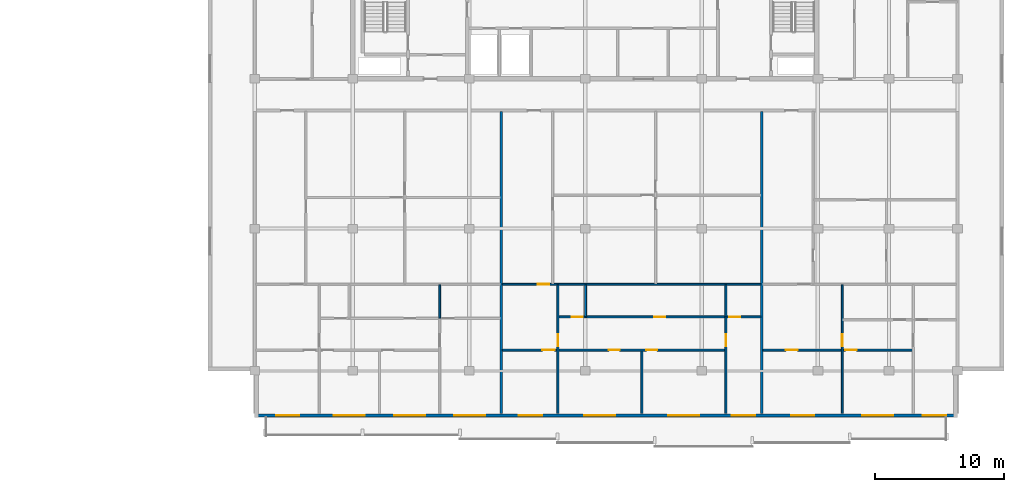
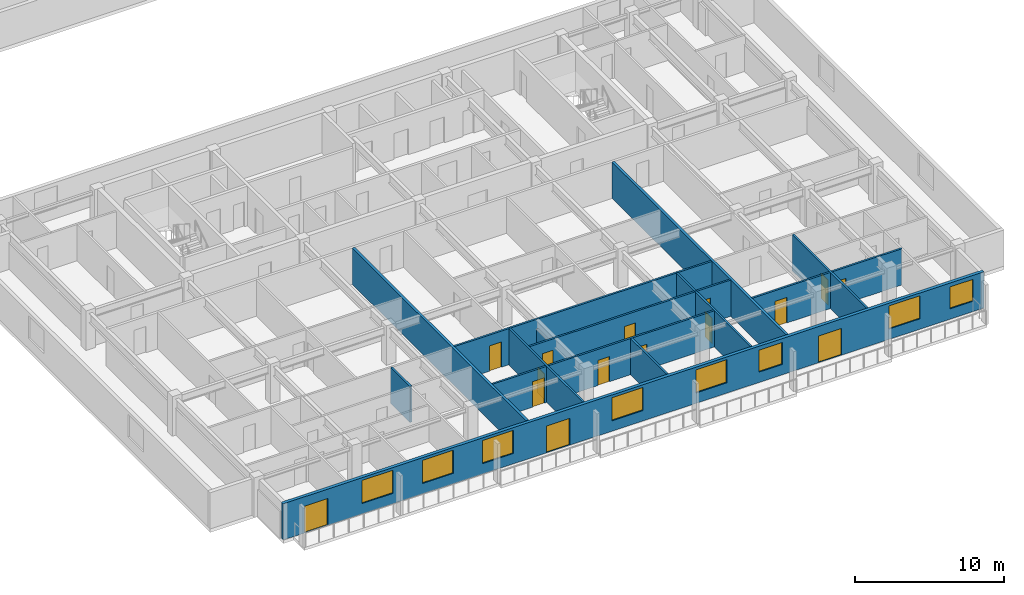
# One storey, part 5 of 23: 15 doors, 14 walls, 8 windows, 23 openings.
"""IFC4 building model written with IfcOpenShell, lengths in metres."""

from ifc_helpers import new_model, si_unit, direction, frame, frame_2d, origin, place, context, subcontext, project, spatial, rectangle, extrude, material, layer, layer_set, type_object, element, fill, save


model = new_model("IFC4")

# Units and contexts
model_context = context("Model", 3, precision=1e-05, world=origin(), true_north=direction((0.0, 1.0)))
body_context = subcontext(model_context, "Body", "Model", "MODEL_VIEW")
ifc_project = project(units=[si_unit("LENGTHUNIT", "METRE"), si_unit("AREAUNIT", "SQUARE_METRE"), si_unit("VOLUMEUNIT", "CUBIC_METRE"), si_unit("PLANEANGLEUNIT", "RADIAN"), si_unit("MASSUNIT", "GRAM", prefix="KILO")], contexts=[model_context])

# Site, building, storey
site_placement = place(None, origin())
site = spatial("IfcSite", under=ifc_project, at=site_placement, CompositionType="ELEMENT")
building_placement = place(site_placement, origin())
building = spatial("IfcBuilding", under=site, at=building_placement, Name="Korimba Cascade Residences", CompositionType="ELEMENT")
storey_placement = place(building_placement, frame((0.0, 0.0, 165.35009765625)))
storey = spatial("IfcBuildingStorey", under=building, at=storey_placement, Name="L47", CompositionType="ELEMENT", Elevation=165.35009765625)

# Wall, openings, doors, windows
ifc_material_1 = material(Name="Precast concrete C40/50", Category="concrete")
ifc_layer_1 = layer(ifc_material_1, 0.25)
ifc_layer_set_1 = layer_set([ifc_layer_1], Name="Precast concrete C40/50")
wall_type_1 = type_object("IfcWallType", Name="EW-LOG-250", PredefinedType="STANDARD", material=ifc_layer_set_1)
wall_1_placement = place(storey_placement, frame((74.5, -7.64990234375, 0.0), z_axis=(0.0, 0.0, 1.0), x_axis=(1.0, 0.0, 0.0)))
wall_1 = element("IfcWall", 1, at=wall_1_placement, inside=storey, type_object=wall_type_1, Name="L47 T2 Perimeter Stone Wall E00", PredefinedType="STANDARD", context=body_context, shape_type="SweptSolid", body=[
    extrude(rectangle(XDim=54.39990234375, YDim=0.25, at=frame_2d((27.199951171875, 0.0))), origin(), (0.0, 0.0, 1.0), 2.969970703125),
])
opening_1_placement = place(wall_1_placement, frame((6.13232421875, 0.0, 0.85009765625)))
opening_1 = element("IfcOpeningElement", 2, at=opening_1_placement, cuts=wall_1, Name="Opening W-01", PredefinedType="OPENING", context=body_context, shape_type="SweptSolid", body=[
    extrude(rectangle(XDim=2.39990234375, YDim=1.89990234375, at=frame_2d((1.199951171875, 0.949951171875))), frame((0.0, 0.135009765625, 0.0), z_axis=(0.0, -1.0, 0.0), x_axis=(1.0, 0.0, 0.0)), (0.0, 0.0, 1.0), 0.27001953125),
])
opening_2_placement = place(wall_1_placement, frame((10.796875, 0.0, 0.85009765625)))
opening_2 = element("IfcOpeningElement", 3, at=opening_2_placement, cuts=wall_1, Name="Opening W-01", PredefinedType="OPENING", context=body_context, shape_type="SweptSolid", body=[
    extrude(rectangle(XDim=2.39990234375, YDim=1.89990234375, at=frame_2d((1.199951171875, 0.949951171875))), frame((0.0, 0.135009765625, 0.0), z_axis=(0.0, -1.0, 0.0), x_axis=(1.0, 0.0, 0.0)), (0.0, 0.0, 1.0), 0.27001953125),
])
opening_3_placement = place(wall_1_placement, frame((1.659912109375, 0.0, 0.0)))
opening_3 = element("IfcOpeningElement", 4, at=opening_3_placement, cuts=wall_1, Name="Opening D-LG1", PredefinedType="OPENING", context=body_context, shape_type="SweptSolid", body=[
    extrude(rectangle(XDim=1.800048828125, YDim=2.199951171875, at=frame_2d((0.89990234375, 1.10009765625))), frame((0.0, 0.135009765625, 0.0), z_axis=(0.0, -1.0, 0.0), x_axis=(1.0, 0.0, 0.0)), (0.0, 0.0, 1.0), 0.27001953125),
])
opening_4_placement = place(wall_1_placement, frame((15.4541015625, 0.0, 0.85009765625)))
opening_4 = element("IfcOpeningElement", 5, at=opening_4_placement, cuts=wall_1, Name="Opening W-01", PredefinedType="OPENING", context=body_context, shape_type="SweptSolid", body=[
    extrude(rectangle(XDim=2.39990234375, YDim=1.89990234375, at=frame_2d((1.199951171875, 0.949951171875))), frame((0.0, 0.135009765625, 0.0), z_axis=(0.0, -1.0, 0.0), x_axis=(1.0, 0.0, 0.0)), (0.0, 0.0, 1.0), 0.27001953125),
])
opening_5_placement = place(wall_1_placement, frame((25.52197265625, 0.0, 0.85009765625)))
opening_5 = element("IfcOpeningElement", 6, at=opening_5_placement, cuts=wall_1, Name="Opening W-01", PredefinedType="OPENING", context=body_context, shape_type="SweptSolid", body=[
    extrude(rectangle(XDim=2.39990234375, YDim=1.89990234375, at=frame_2d((1.199951171875, 0.949951171875))), frame((0.0, 0.135009765625, 0.0), z_axis=(0.0, -1.0, 0.0), x_axis=(1.0, 0.0, 0.0)), (0.0, 0.0, 1.0), 0.27001953125),
])
opening_6_placement = place(wall_1_placement, frame((32.02734375, 0.0, 0.85009765625)))
opening_6 = element("IfcOpeningElement", 7, at=opening_6_placement, cuts=wall_1, Name="Opening W-01", PredefinedType="OPENING", context=body_context, shape_type="SweptSolid", body=[
    extrude(rectangle(XDim=2.39990234375, YDim=1.89990234375, at=frame_2d((1.199951171875, 0.949951171875))), frame((0.0, 0.135009765625, 0.0), z_axis=(0.0, -1.0, 0.0), x_axis=(1.0, 0.0, 0.0)), (0.0, 0.0, 1.0), 0.27001953125),
])
opening_7_placement = place(wall_1_placement, frame((20.444091796875, 0.0, 0.0)))
opening_7 = element("IfcOpeningElement", 8, at=opening_7_placement, cuts=wall_1, Name="Opening D-LG1", PredefinedType="OPENING", context=body_context, shape_type="SweptSolid", body=[
    extrude(rectangle(XDim=1.800048828125, YDim=2.199951171875, at=frame_2d((0.89990234375, 1.10009765625))), frame((0.0, 0.135009765625, 0.0), z_axis=(0.0, -1.0, 0.0), x_axis=(1.0, 0.0, 0.0)), (0.0, 0.0, 1.0), 0.27001953125),
])
opening_8_placement = place(wall_1_placement, frame((36.935302734375, 0.0, 0.85009765625)))
opening_8 = element("IfcOpeningElement", 9, at=opening_8_placement, cuts=wall_1, Name="Opening W-02", PredefinedType="OPENING", context=body_context, shape_type="SweptSolid", body=[
    extrude(rectangle(XDim=1.800048828125, YDim=1.800048828125, at=frame_2d((0.89990234375, 0.89990234375))), frame((0.0, 0.135009765625, 0.0), z_axis=(0.0, -1.0, 0.0), x_axis=(1.0, 0.0, 0.0)), (0.0, 0.0, 1.0), 0.27001953125),
])
opening_9_placement = place(wall_1_placement, frame((47.030029296875, 0.0, 0.85009765625)))
opening_9 = element("IfcOpeningElement", 10, at=opening_9_placement, cuts=wall_1, Name="Opening W-01", PredefinedType="OPENING", context=body_context, shape_type="SweptSolid", body=[
    extrude(rectangle(XDim=2.39990234375, YDim=1.89990234375, at=frame_2d((1.199951171875, 0.949951171875))), frame((0.0, 0.135009765625, 0.0), z_axis=(0.0, -1.0, 0.0), x_axis=(1.0, 0.0, 0.0)), (0.0, 0.0, 1.0), 0.27001953125),
])
opening_10_placement = place(wall_1_placement, frame((41.5302734375, 0.0, 0.0)))
opening_10 = element("IfcOpeningElement", 11, at=opening_10_placement, cuts=wall_1, Name="Opening D-LG1", PredefinedType="OPENING", context=body_context, shape_type="SweptSolid", body=[
    extrude(rectangle(XDim=1.800048828125, YDim=2.199951171875, at=frame_2d((0.89990234375, 1.10009765625))), frame((0.0, 0.135009765625, 0.0), z_axis=(0.0, -1.0, 0.0), x_axis=(1.0, 0.0, 0.0)), (0.0, 0.0, 1.0), 0.27001953125),
])
opening_11_placement = place(wall_1_placement, frame((51.72998046875, 0.0, 0.85009765625)))
opening_11 = element("IfcOpeningElement", 12, at=opening_11_placement, cuts=wall_1, Name="Opening W-02", PredefinedType="OPENING", context=body_context, shape_type="SweptSolid", body=[
    extrude(rectangle(XDim=1.800048828125, YDim=1.800048828125, at=frame_2d((0.89990234375, 0.89990234375))), frame((0.0, 0.135009765625, 0.0), z_axis=(0.0, -1.0, 0.0), x_axis=(1.0, 0.0, 0.0)), (0.0, 0.0, 1.0), 0.27001953125),
])
ifc_material_2 = material(Name="Glazed Aluminium Loggia Sliding Door", Category="aluminium")
door_type_1 = type_object("IfcDoorType", Name="DR-EXT-LOG", OperationType="NOTDEFINED", PredefinedType="DOOR", material=ifc_material_2)
door_1_placement = place(opening_3_placement, origin())
door_1 = element("IfcDoor", 13, at=door_1_placement, inside=storey, type_object=door_type_1, Name="L47 T2 Loggia Sliding Door 5", OperationType="SLIDING_TO_RIGHT", OverallHeight=2.199951171875, OverallWidth=1.800048828125, PredefinedType="DOOR", context=body_context, shape_type="SweptSolid", body=[
    extrude(rectangle(XDim=1.800048828125, YDim=2.199951171875, at=frame_2d((0.89990234375, 1.10009765625))), frame((0.0, 0.02490234375, 0.0), z_axis=(0.0, -1.0, 0.0), x_axis=(1.0, 0.0, 0.0)), (0.0, 0.0, 1.0), 0.050048828125),
])
fill(opening_3, door_1)
door_2_placement = place(opening_7_placement, origin())
door_2 = element("IfcDoor", 14, at=door_2_placement, inside=storey, type_object=door_type_1, Name="L47 T2 Loggia Sliding Door 9", OperationType="SLIDING_TO_RIGHT", OverallHeight=2.199951171875, OverallWidth=1.800048828125, PredefinedType="DOOR", context=body_context, shape_type="SweptSolid", body=[
    extrude(rectangle(XDim=1.800048828125, YDim=2.199951171875, at=frame_2d((0.89990234375, 1.10009765625))), frame((0.0, 0.02490234375, 0.0), z_axis=(0.0, -1.0, 0.0), x_axis=(1.0, 0.0, 0.0)), (0.0, 0.0, 1.0), 0.050048828125),
])
fill(opening_7, door_2)
door_3_placement = place(opening_10_placement, origin())
door_3 = element("IfcDoor", 15, at=door_3_placement, inside=storey, type_object=door_type_1, Name="L47 T2 Loggia Sliding Door 12", OperationType="SLIDING_TO_RIGHT", OverallHeight=2.199951171875, OverallWidth=1.800048828125, PredefinedType="DOOR", context=body_context, shape_type="SweptSolid", body=[
    extrude(rectangle(XDim=1.800048828125, YDim=2.199951171875, at=frame_2d((0.89990234375, 1.10009765625))), frame((0.0, 0.02490234375, 0.0), z_axis=(0.0, -1.0, 0.0), x_axis=(1.0, 0.0, 0.0)), (0.0, 0.0, 1.0), 0.050048828125),
])
fill(opening_10, door_3)
ifc_material_3 = material(Name="Double-Glazed Aluminium Window", Category="aluminium")
window_type_1 = type_object("IfcWindowType", Name="WIN-BED-1800", PartitioningType="SINGLE_PANEL", PredefinedType="WINDOW", material=ifc_material_3)
window_1_placement = place(opening_8_placement, origin())
window_1 = element("IfcWindow", 16, at=window_1_placement, inside=storey, type_object=window_type_1, Name="L47 T2 South Facade Window 10", OverallHeight=1.800048828125, OverallWidth=1.800048828125, PartitioningType="SINGLE_PANEL", PredefinedType="WINDOW", context=body_context, shape_type="SweptSolid", body=[
    extrude(rectangle(XDim=1.800048828125, YDim=1.800048828125, at=frame_2d((0.89990234375, 0.89990234375))), frame((0.0, 0.030029296875, 0.0), z_axis=(0.0, -1.0, 0.0), x_axis=(1.0, 0.0, 0.0)), (0.0, 0.0, 1.0), 0.06005859375),
])
fill(opening_8, window_1)
window_2_placement = place(opening_11_placement, origin())
window_2 = element("IfcWindow", 17, at=window_2_placement, inside=storey, type_object=window_type_1, Name="L47 T2 South Facade Window 13", OverallHeight=1.800048828125, OverallWidth=1.800048828125, PartitioningType="SINGLE_PANEL", PredefinedType="WINDOW", context=body_context, shape_type="SweptSolid", body=[
    extrude(rectangle(XDim=1.800048828125, YDim=1.800048828125, at=frame_2d((0.89990234375, 0.89990234375))), frame((0.0, 0.030029296875, 0.0), z_axis=(0.0, -1.0, 0.0), x_axis=(1.0, 0.0, 0.0)), (0.0, 0.0, 1.0), 0.06005859375),
])
fill(opening_11, window_2)
window_type_2 = type_object("IfcWindowType", Name="WIN-RES-2400", PartitioningType="DOUBLE_PANEL_VERTICAL", PredefinedType="WINDOW", material=ifc_material_3)
window_3_placement = place(opening_1_placement, origin())
window_3 = element("IfcWindow", 18, at=window_3_placement, inside=storey, type_object=window_type_2, Name="L47 T2 South Facade Window 3", OverallHeight=1.89990234375, OverallWidth=2.39990234375, PartitioningType="DOUBLE_PANEL_VERTICAL", PredefinedType="WINDOW", context=body_context, shape_type="SweptSolid", body=[
    extrude(rectangle(XDim=2.39990234375, YDim=1.89990234375, at=frame_2d((1.199951171875, 0.949951171875))), frame((0.0, 0.030029296875, 0.0), z_axis=(0.0, -1.0, 0.0), x_axis=(1.0, 0.0, 0.0)), (0.0, 0.0, 1.0), 0.06005859375),
])
fill(opening_1, window_3)
window_4_placement = place(opening_2_placement, origin())
window_4 = element("IfcWindow", 19, at=window_4_placement, inside=storey, type_object=window_type_2, Name="L47 T2 South Facade Window 4", OverallHeight=1.89990234375, OverallWidth=2.39990234375, PartitioningType="DOUBLE_PANEL_VERTICAL", PredefinedType="WINDOW", context=body_context, shape_type="SweptSolid", body=[
    extrude(rectangle(XDim=2.39990234375, YDim=1.89990234375, at=frame_2d((1.199951171875, 0.949951171875))), frame((0.0, 0.030029296875, 0.0), z_axis=(0.0, -1.0, 0.0), x_axis=(1.0, 0.0, 0.0)), (0.0, 0.0, 1.0), 0.06005859375),
])
fill(opening_2, window_4)
window_5_placement = place(opening_4_placement, origin())
window_5 = element("IfcWindow", 20, at=window_5_placement, inside=storey, type_object=window_type_2, Name="L47 T2 South Facade Window 6", OverallHeight=1.89990234375, OverallWidth=2.39990234375, PartitioningType="DOUBLE_PANEL_VERTICAL", PredefinedType="WINDOW", context=body_context, shape_type="SweptSolid", body=[
    extrude(rectangle(XDim=2.39990234375, YDim=1.89990234375, at=frame_2d((1.199951171875, 0.949951171875))), frame((0.0, 0.030029296875, 0.0), z_axis=(0.0, -1.0, 0.0), x_axis=(1.0, 0.0, 0.0)), (0.0, 0.0, 1.0), 0.06005859375),
])
fill(opening_4, window_5)
window_6_placement = place(opening_5_placement, origin())
window_6 = element("IfcWindow", 21, at=window_6_placement, inside=storey, type_object=window_type_2, Name="L47 T2 South Facade Window 7", OverallHeight=1.89990234375, OverallWidth=2.39990234375, PartitioningType="DOUBLE_PANEL_VERTICAL", PredefinedType="WINDOW", context=body_context, shape_type="SweptSolid", body=[
    extrude(rectangle(XDim=2.39990234375, YDim=1.89990234375, at=frame_2d((1.199951171875, 0.949951171875))), frame((0.0, 0.030029296875, 0.0), z_axis=(0.0, -1.0, 0.0), x_axis=(1.0, 0.0, 0.0)), (0.0, 0.0, 1.0), 0.06005859375),
])
fill(opening_5, window_6)
window_7_placement = place(opening_6_placement, origin())
window_7 = element("IfcWindow", 22, at=window_7_placement, inside=storey, type_object=window_type_2, Name="L47 T2 South Facade Window 8", OverallHeight=1.89990234375, OverallWidth=2.39990234375, PartitioningType="DOUBLE_PANEL_VERTICAL", PredefinedType="WINDOW", context=body_context, shape_type="SweptSolid", body=[
    extrude(rectangle(XDim=2.39990234375, YDim=1.89990234375, at=frame_2d((1.199951171875, 0.949951171875))), frame((0.0, 0.030029296875, 0.0), z_axis=(0.0, -1.0, 0.0), x_axis=(1.0, 0.0, 0.0)), (0.0, 0.0, 1.0), 0.06005859375),
])
fill(opening_6, window_7)
window_8_placement = place(opening_9_placement, origin())
window_8 = element("IfcWindow", 23, at=window_8_placement, inside=storey, type_object=window_type_2, Name="L47 T2 South Facade Window 11", OverallHeight=1.89990234375, OverallWidth=2.39990234375, PartitioningType="DOUBLE_PANEL_VERTICAL", PredefinedType="WINDOW", context=body_context, shape_type="SweptSolid", body=[
    extrude(rectangle(XDim=2.39990234375, YDim=1.89990234375, at=frame_2d((1.199951171875, 0.949951171875))), frame((0.0, 0.030029296875, 0.0), z_axis=(0.0, -1.0, 0.0), x_axis=(1.0, 0.0, 0.0)), (0.0, 0.0, 1.0), 0.06005859375),
])
fill(opening_9, window_8)

# Walls
ifc_layer_2 = layer(ifc_material_1, 0.199951171875)
ifc_layer_set_2 = layer_set([ifc_layer_2], Name="Precast concrete C40/50")
wall_type_2 = type_object("IfcWallType", Name="WAL-IT-200", PredefinedType="PARTITIONING", material=ifc_layer_set_2)
for number, where, z_axis, x_axis, name in (
    (24, (93.59912109375, -7.5, 0.0), (0.0, 0.0, 1.0), (0.0, 1.0, 0.0), "L47 Partition Wall WAL-L47-T2-DEM-1"),
    (25, (113.760498046875, -7.5, 0.0), (0.0, 0.0, 1.0), (0.0, 1.0, 0.0), "L47 Partition Wall WAL-L47-T2-DEM-2"),
):
    element("IfcWall", number, at=place(storey_placement, frame(where, z_axis=z_axis, x_axis=x_axis)), inside=storey, type_object=wall_type_2, Name=name, PredefinedType="PARTITIONING", context=body_context, shape_type="SweptSolid", body=[
        extrude(rectangle(XDim=23.3701171875, YDim=0.199951171875, at=frame_2d((11.68505859375, 0.0))), origin(), (0.0, 0.0, 1.0), 2.969970703125),
    ])
ifc_material_4 = material(Name="Insulated Acoustic Stud Partition", Category="gypsum")
ifc_layer_3 = layer(ifc_material_4, 0.14990234375)
ifc_layer_set_3 = layer_set([ifc_layer_3], Name="Insulated Acoustic Stud Partition")
wall_type_3 = type_object("IfcWallType", Name="WAL-PART-150", PredefinedType="PARTITIONING", material=ifc_layer_set_3)
wall_2_placement = place(storey_placement, frame((88.8291015625, -0.1201171875, 0.0), z_axis=(0.0, 0.0, 1.0), x_axis=(0.0, 1.0, 0.0)))
element("IfcWall", 26, at=wall_2_placement, inside=storey, type_object=wall_type_3, Name="L47 Partition Wall WAL-L47-T2-U01-VBATH", PredefinedType="PARTITIONING", context=body_context, shape_type="SweptSolid", body=[
    extrude(rectangle(XDim=2.580078125, YDim=0.14990234375, at=frame_2d((1.2900390625, 0.0))), origin(), (0.0, 0.0, 1.0), 2.969970703125),
])
wall_3_placement = place(storey_placement, frame((100.119140625, -0.010009765625, 0.0), z_axis=(0.0, 0.0, 1.0), x_axis=(0.0, 1.0, 0.0)))
element("IfcWall", 27, at=wall_3_placement, inside=storey, type_object=wall_type_3, Name="L47 Partition Wall WAL-L47-T2-U02-VDRS", PredefinedType="PARTITIONING", context=body_context, shape_type="SweptSolid", body=[
    extrude(rectangle(XDim=2.469970703125, YDim=0.14990234375, at=frame_2d((1.23486328125, 0.0))), origin(), (0.0, 0.0, 1.0), 2.2001953125),
])
wall_4_placement = place(storey_placement, frame((104.474609375, -7.5, 0.0), z_axis=(0.0, 0.0, 1.0), x_axis=(0.0, 1.0, 0.0)))
element("IfcWall", 28, at=wall_4_placement, inside=storey, type_object=wall_type_3, Name="L47 Partition Wall WAL-L47-T2-U02-VB3", PredefinedType="PARTITIONING", context=body_context, shape_type="SweptSolid", body=[
    extrude(rectangle(XDim=4.820068359375, YDim=0.14990234375, at=frame_2d((2.41015625, 0.0))), origin(), (0.0, 0.0, 1.0), 2.969970703125),
])

# Wall, opening, door
wall_5_placement = place(storey_placement, frame((97.96923828125, -7.5, 0.0), z_axis=(0.0, 0.0, 1.0), x_axis=(0.0, 1.0, 0.0)))
wall_5 = element("IfcWall", 29, at=wall_5_placement, inside=storey, type_object=wall_type_3, Name="L47 Partition Wall WAL-L47-T2-U02-V1", PredefinedType="PARTITIONING", context=body_context, shape_type="SweptSolid", body=[
    extrude(rectangle(XDim=9.9599609375, YDim=0.14990234375, at=frame_2d((4.97998046875, 0.0))), origin(), (0.0, 0.0, 1.0), 2.969970703125),
])
opening_12_placement = place(wall_5_placement, frame((5.219970703125, 0.0, 0.0)))
opening_12 = element("IfcOpeningElement", 30, at=opening_12_placement, cuts=wall_5, Name="Opening D-IN1", PredefinedType="OPENING", context=body_context, shape_type="SweptSolid", body=[
    extrude(rectangle(XDim=0.919921875, YDim=2.080078125, at=frame_2d((0.4599609375, 1.0400390625))), frame((0.0, 0.0849609375, 0.0), z_axis=(0.0, -1.0, 0.0), x_axis=(1.0, 0.0, 0.0)), (0.0, 0.0, 1.0), 0.169921875),
])
ifc_material_5 = material(Name="Acoustic Timber Living Door", Category="wood")
door_type_2 = type_object("IfcDoorType", Name="DR-INT-920", OperationType="NOTDEFINED", PredefinedType="DOOR", material=ifc_material_5)
door_4_placement = place(opening_12_placement, origin())
door_4 = element("IfcDoor", 31, at=door_4_placement, inside=storey, type_object=door_type_2, Name="L47-T2-U02 Hallway Door", OperationType="SINGLE_SWING_LEFT", OverallHeight=2.080078125, OverallWidth=0.919921875, PredefinedType="DOOR", context=body_context, shape_type="SweptSolid", body=[
    extrude(rectangle(XDim=0.919921875, YDim=2.080078125, at=frame_2d((0.4599609375, 1.0400390625))), frame((0.0, 0.02490234375, 0.0), z_axis=(0.0, -1.0, 0.0), x_axis=(1.0, 0.0, 0.0)), (0.0, 0.0, 1.0), 0.050048828125),
])
fill(opening_12, door_4)

# Wall
wall_6_placement = place(storey_placement, frame((110.97998046875, -0.010009765625, 0.0), z_axis=(0.0, 0.0, 1.0), x_axis=(0.0, 1.0, 0.0)))
element("IfcWall", 32, at=wall_6_placement, inside=storey, type_object=wall_type_3, Name="L47 Partition Wall WAL-L47-T2-U02-VBATH", PredefinedType="PARTITIONING", context=body_context, shape_type="SweptSolid", body=[
    extrude(rectangle(XDim=2.469970703125, YDim=0.14990234375, at=frame_2d((1.23486328125, 0.0))), origin(), (0.0, 0.0, 1.0), 2.969970703125),
])

# Wall, opening, door
wall_7_placement = place(storey_placement, frame((110.97998046875, -7.5, 0.0), z_axis=(0.0, 0.0, 1.0), x_axis=(0.0, 1.0, 0.0)))
wall_7 = element("IfcWall", 33, at=wall_7_placement, inside=storey, type_object=wall_type_3, Name="L47 Partition Wall WAL-L47-T2-U02-V2FULL", PredefinedType="PARTITIONING", context=body_context, shape_type="SweptSolid", body=[
    extrude(rectangle(XDim=7.449951171875, YDim=0.14990234375, at=frame_2d((3.72509765625, 0.0))), origin(), (0.0, 0.0, 1.0), 2.969970703125),
])
opening_13_placement = place(wall_7_placement, frame((5.219970703125, 0.0, 0.0)))
opening_13 = element("IfcOpeningElement", 34, at=opening_13_placement, cuts=wall_7, Name="Opening D-IN1", PredefinedType="OPENING", context=body_context, shape_type="SweptSolid", body=[
    extrude(rectangle(XDim=0.919921875, YDim=2.080078125, at=frame_2d((0.4599609375, 1.0400390625))), frame((0.0, 0.0849609375, 0.0), z_axis=(0.0, -1.0, 0.0), x_axis=(1.0, 0.0, 0.0)), (0.0, 0.0, 1.0), 0.169921875),
])
door_5_placement = place(opening_13_placement, origin())
door_5 = element("IfcDoor", 35, at=door_5_placement, inside=storey, type_object=door_type_2, Name="L47-T2-U02 Master Bedroom Door", OperationType="SINGLE_SWING_RIGHT", OverallHeight=2.080078125, OverallWidth=0.919921875, PredefinedType="DOOR", context=body_context, shape_type="SweptSolid", body=[
    extrude(rectangle(XDim=0.919921875, YDim=2.080078125, at=frame_2d((0.4599609375, 1.0400390625))), frame((0.0, 0.02490234375, 0.0), z_axis=(0.0, -1.0, 0.0), x_axis=(1.0, 0.0, 0.0)), (0.0, 0.0, 1.0), 0.050048828125),
])
fill(opening_13, door_5)

# Wall, openings, doors
wall_8_placement = place(storey_placement, frame((98.00927734375, -0.030029296875, 0.0), z_axis=(0.0, 0.0, 1.0), x_axis=(1.0, 0.0, 0.0)))
wall_8 = element("IfcWall", 36, at=wall_8_placement, inside=storey, type_object=wall_type_3, Name="L47 Partition Wall WAL-L47-T2-U02-HWALL", PredefinedType="PARTITIONING", context=body_context, shape_type="SweptSolid", body=[
    extrude(rectangle(XDim=15.671142578125, YDim=0.14990234375, at=frame_2d((7.83544921875, 0.0))), origin(), (0.0, 0.0, 1.0), 2.969970703125),
])
opening_14_placement = place(wall_8_placement, frame((1.033935546875, 0.0, 0.0)))
opening_14 = element("IfcOpeningElement", 37, at=opening_14_placement, cuts=wall_8, Name="Opening D-BT1", PredefinedType="OPENING", context=body_context, shape_type="SweptSolid", body=[
    extrude(rectangle(XDim=0.840087890625, YDim=2.0400390625, at=frame_2d((0.419921875, 1.02001953125))), frame((0.0, 0.0849609375, 0.0), z_axis=(0.0, -1.0, 0.0), x_axis=(1.0, 0.0, 0.0)), (0.0, 0.0, 1.0), 0.169921875),
])
opening_15_placement = place(wall_8_placement, frame((7.41552734375, 0.0, 0.0)))
opening_15 = element("IfcOpeningElement", 38, at=opening_15_placement, cuts=wall_8, Name="Opening D-BT1", PredefinedType="OPENING", context=body_context, shape_type="SweptSolid", body=[
    extrude(rectangle(XDim=0.840087890625, YDim=2.0400390625, at=frame_2d((0.419921875, 1.02001953125))), frame((0.0, 0.0849609375, 0.0), z_axis=(0.0, -1.0, 0.0), x_axis=(1.0, 0.0, 0.0)), (0.0, 0.0, 1.0), 0.169921875),
])
opening_16_placement = place(wall_8_placement, frame((13.220703125, 0.0, 0.0)))
opening_16 = element("IfcOpeningElement", 39, at=opening_16_placement, cuts=wall_8, Name="Opening D-BT1", PredefinedType="OPENING", context=body_context, shape_type="SweptSolid", body=[
    extrude(rectangle(XDim=0.840087890625, YDim=2.0400390625, at=frame_2d((0.419921875, 1.02001953125))), frame((0.0, 0.0849609375, 0.0), z_axis=(0.0, -1.0, 0.0), x_axis=(1.0, 0.0, 0.0)), (0.0, 0.0, 1.0), 0.169921875),
])
ifc_material_6 = material(Name="Moisture-Resistant Bathroom Timber Door", Category="wood")
door_type_3 = type_object("IfcDoorType", Name="DR-INT-850", OperationType="NOTDEFINED", PredefinedType="DOOR", material=ifc_material_6)
door_6_placement = place(opening_14_placement, origin())
door_6 = element("IfcDoor", 40, at=door_6_placement, inside=storey, type_object=door_type_3, Name="L47-T2-U02 Family Bathroom Door", OperationType="SINGLE_SWING_LEFT", OverallHeight=2.0400390625, OverallWidth=0.840087890625, PredefinedType="DOOR", context=body_context, shape_type="SweptSolid", body=[
    extrude(rectangle(XDim=0.840087890625, YDim=2.0400390625, at=frame_2d((0.419921875, 1.02001953125))), frame((0.0, 0.02490234375, 0.0), z_axis=(0.0, -1.0, 0.0), x_axis=(1.0, 0.0, 0.0)), (0.0, 0.0, 1.0), 0.050048828125),
])
fill(opening_14, door_6)
door_7_placement = place(opening_15_placement, origin())
door_7 = element("IfcDoor", 41, at=door_7_placement, inside=storey, type_object=door_type_3, Name="L47-T2-U02 Dressing Room Door", OperationType="SINGLE_SWING_RIGHT", OverallHeight=2.0400390625, OverallWidth=0.840087890625, PredefinedType="DOOR", context=body_context, shape_type="SweptSolid", body=[
    extrude(rectangle(XDim=0.840087890625, YDim=2.0400390625, at=frame_2d((0.419921875, 1.02001953125))), frame((0.0, 0.02490234375, 0.0), z_axis=(0.0, -1.0, 0.0), x_axis=(1.0, 0.0, 0.0)), (0.0, 0.0, 1.0), 0.050048828125),
])
fill(opening_15, door_7)
door_8_placement = place(opening_16_placement, origin())
door_8 = element("IfcDoor", 42, at=door_8_placement, inside=storey, type_object=door_type_3, Name="L47-T2-U02 En-Suite Door", OperationType="SINGLE_SWING_LEFT", OverallHeight=2.0400390625, OverallWidth=0.840087890625, PredefinedType="DOOR", context=body_context, shape_type="SweptSolid", body=[
    extrude(rectangle(XDim=0.840087890625, YDim=2.0400390625, at=frame_2d((0.419921875, 1.02001953125))), frame((0.0, 0.02490234375, 0.0), z_axis=(0.0, -1.0, 0.0), x_axis=(1.0, 0.0, 0.0)), (0.0, 0.0, 1.0), 0.050048828125),
])
fill(opening_16, door_8)

# Wall, opening, door
wall_9_placement = place(storey_placement, frame((93.67919921875, 2.5, 0.0), z_axis=(0.0, 0.0, 1.0), x_axis=(1.0, 0.0, 0.0)))
wall_9 = element("IfcWall", 43, at=wall_9_placement, inside=storey, type_object=wall_type_3, Name="L47 Partition Wall WAL-L47-T2-U02-MW", PredefinedType="PARTITIONING", context=body_context, shape_type="SweptSolid", body=[
    extrude(rectangle(XDim=20.001220703125, YDim=0.14990234375, at=frame_2d((10.00048828125, 0.0))), origin(), (0.0, 0.0, 1.0), 2.969970703125),
])
opening_17_placement = place(wall_9_placement, frame((2.719970703125, 0.0, 0.0)))
opening_17 = element("IfcOpeningElement", 44, at=opening_17_placement, cuts=wall_9, Name="Opening D-IN1", PredefinedType="OPENING", context=body_context, shape_type="SweptSolid", body=[
    extrude(rectangle(XDim=0.919921875, YDim=2.080078125, at=frame_2d((0.4599609375, 1.0400390625))), frame((0.0, 0.0849609375, 0.0), z_axis=(0.0, -1.0, 0.0), x_axis=(1.0, 0.0, 0.0)), (0.0, 0.0, 1.0), 0.169921875),
])
door_9_placement = place(opening_17_placement, origin())
door_9 = element("IfcDoor", 45, at=door_9_placement, inside=storey, type_object=door_type_2, Name="L47-T2-U02 Kitchen Door", OperationType="SINGLE_SWING_RIGHT", OverallHeight=2.080078125, OverallWidth=0.919921875, PredefinedType="DOOR", context=body_context, shape_type="SweptSolid", body=[
    extrude(rectangle(XDim=0.919921875, YDim=2.080078125, at=frame_2d((0.4599609375, 1.0400390625))), frame((0.0, 0.02490234375, 0.0), z_axis=(0.0, -1.0, 0.0), x_axis=(1.0, 0.0, 0.0)), (0.0, 0.0, 1.0), 0.050048828125),
])
fill(opening_17, door_9)

# Wall, openings, doors
wall_10_placement = place(storey_placement, frame((93.67919921875, -2.60009765625, 0.0), z_axis=(0.0, 0.0, 1.0), x_axis=(1.0, 0.0, 0.0)))
wall_10 = element("IfcWall", 46, at=wall_10_placement, inside=storey, type_object=wall_type_3, Name="L47 Partition Wall WAL-L47-T2-U02-HZ", PredefinedType="PARTITIONING", context=body_context, shape_type="SweptSolid", body=[
    extrude(rectangle(XDim=17.30078125, YDim=0.14990234375, at=frame_2d((8.650390625, 0.0))), origin(), (0.0, 0.0, 1.0), 2.969970703125),
])
opening_18_placement = place(wall_10_placement, frame((3.10009765625, 0.0, 0.0)))
opening_18 = element("IfcOpeningElement", 47, at=opening_18_placement, cuts=wall_10, Name="Opening D-IN0", PredefinedType="OPENING", context=body_context, shape_type="SweptSolid", body=[
    extrude(rectangle(XDim=0.93994140625, YDim=2.10009765625, at=frame_2d((0.469970703125, 1.050048828125))), frame((0.0, 0.0849609375, 0.0), z_axis=(0.0, -1.0, 0.0), x_axis=(1.0, 0.0, 0.0)), (0.0, 0.0, 1.0), 0.169921875),
])
opening_19_placement = place(wall_10_placement, frame((8.21044921875, 0.0, 0.0)))
opening_19 = element("IfcOpeningElement", 48, at=opening_19_placement, cuts=wall_10, Name="Opening D-IN2", PredefinedType="OPENING", context=body_context, shape_type="SweptSolid", body=[
    extrude(rectangle(XDim=0.8798828125, YDim=2.06005859375, at=frame_2d((0.43994140625, 1.030029296875))), frame((0.0, 0.0849609375, 0.0), z_axis=(0.0, -1.0, 0.0), x_axis=(1.0, 0.0, 0.0)), (0.0, 0.0, 1.0), 0.169921875),
])
opening_20_placement = place(wall_10_placement, frame((11.119140625, 0.0, 0.0)))
opening_20 = element("IfcOpeningElement", 49, at=opening_20_placement, cuts=wall_10, Name="Opening D-IN2", PredefinedType="OPENING", context=body_context, shape_type="SweptSolid", body=[
    extrude(rectangle(XDim=0.8798828125, YDim=2.06005859375, at=frame_2d((0.43994140625, 1.030029296875))), frame((0.0, 0.0849609375, 0.0), z_axis=(0.0, -1.0, 0.0), x_axis=(1.0, 0.0, 0.0)), (0.0, 0.0, 1.0), 0.169921875),
])
ifc_material_7 = material(Name="Acoustic Timber Bedroom Door", Category="wood")
door_type_4 = type_object("IfcDoorType", Name="DR-INT-880", OperationType="NOTDEFINED", PredefinedType="DOOR", material=ifc_material_7)
door_10_placement = place(opening_19_placement, origin())
door_10 = element("IfcDoor", 50, at=door_10_placement, inside=storey, type_object=door_type_4, Name="L47-T2-U02 Bedroom 2 Door", OperationType="SINGLE_SWING_RIGHT", OverallHeight=2.06005859375, OverallWidth=0.8798828125, PredefinedType="DOOR", context=body_context, shape_type="SweptSolid", body=[
    extrude(rectangle(XDim=0.8798828125, YDim=2.06005859375, at=frame_2d((0.43994140625, 1.030029296875))), frame((0.0, 0.02490234375, 0.0), z_axis=(0.0, -1.0, 0.0), x_axis=(1.0, 0.0, 0.0)), (0.0, 0.0, 1.0), 0.050048828125),
])
fill(opening_19, door_10)
door_11_placement = place(opening_20_placement, origin())
door_11 = element("IfcDoor", 51, at=door_11_placement, inside=storey, type_object=door_type_4, Name="L47-T2-U02 Bedroom 3 Door", OperationType="SINGLE_SWING_LEFT", OverallHeight=2.06005859375, OverallWidth=0.8798828125, PredefinedType="DOOR", context=body_context, shape_type="SweptSolid", body=[
    extrude(rectangle(XDim=0.8798828125, YDim=2.06005859375, at=frame_2d((0.43994140625, 1.030029296875))), frame((0.0, 0.02490234375, 0.0), z_axis=(0.0, -1.0, 0.0), x_axis=(1.0, 0.0, 0.0)), (0.0, 0.0, 1.0), 0.050048828125),
])
fill(opening_20, door_11)
ifc_material_8 = material(Name="Acoustic Timber Living Archway Door", Category="wood")
door_type_5 = type_object("IfcDoorType", Name="DR-INT-950", OperationType="NOTDEFINED", PredefinedType="DOOR", material=ifc_material_8)
door_12_placement = place(opening_18_placement, origin())
door_12 = element("IfcDoor", 52, at=door_12_placement, inside=storey, type_object=door_type_5, Name="L47-T2-U02 Living Room Door", OperationType="SINGLE_SWING_LEFT", OverallHeight=2.10009765625, OverallWidth=0.93994140625, PredefinedType="DOOR", context=body_context, shape_type="SweptSolid", body=[
    extrude(rectangle(XDim=0.93994140625, YDim=2.10009765625, at=frame_2d((0.469970703125, 1.050048828125))), frame((0.0, 0.02490234375, 0.0), z_axis=(0.0, -1.0, 0.0), x_axis=(1.0, 0.0, 0.0)), (0.0, 0.0, 1.0), 0.050048828125),
])
fill(opening_18, door_12)

# Wall, opening, door
wall_11_placement = place(storey_placement, frame((119.97998046875, -7.5, 0.0), z_axis=(0.0, 0.0, 1.0), x_axis=(0.0, 1.0, 0.0)))
wall_11 = element("IfcWall", 53, at=wall_11_placement, inside=storey, type_object=wall_type_3, Name="L47 Partition Wall WAL-L47-T2-U03-V1", PredefinedType="PARTITIONING", context=body_context, shape_type="SweptSolid", body=[
    extrude(rectangle(XDim=9.9599609375, YDim=0.14990234375, at=frame_2d((4.97998046875, 0.0))), origin(), (0.0, 0.0, 1.0), 2.969970703125),
])
opening_21_placement = place(wall_11_placement, frame((5.219970703125, 0.0, 0.0)))
opening_21 = element("IfcOpeningElement", 54, at=opening_21_placement, cuts=wall_11, Name="Opening D-IN1", PredefinedType="OPENING", context=body_context, shape_type="SweptSolid", body=[
    extrude(rectangle(XDim=0.919921875, YDim=2.080078125, at=frame_2d((0.4599609375, 1.0400390625))), frame((0.0, 0.0849609375, 0.0), z_axis=(0.0, -1.0, 0.0), x_axis=(1.0, 0.0, 0.0)), (0.0, 0.0, 1.0), 0.169921875),
])
door_13_placement = place(opening_21_placement, origin())
door_13 = element("IfcDoor", 55, at=door_13_placement, inside=storey, type_object=door_type_2, Name="L47-T2-U03 Hallway Door", OperationType="SINGLE_SWING_LEFT", OverallHeight=2.080078125, OverallWidth=0.919921875, PredefinedType="DOOR", context=body_context, shape_type="SweptSolid", body=[
    extrude(rectangle(XDim=0.919921875, YDim=2.080078125, at=frame_2d((0.4599609375, 1.0400390625))), frame((0.0, 0.02490234375, 0.0), z_axis=(0.0, -1.0, 0.0), x_axis=(1.0, 0.0, 0.0)), (0.0, 0.0, 1.0), 0.050048828125),
])
fill(opening_21, door_13)

# Wall, openings, doors
wall_12_placement = place(storey_placement, frame((113.84033203125, -2.60009765625, 0.0), z_axis=(0.0, 0.0, 1.0), x_axis=(1.0, 0.0, 0.0)))
wall_12 = element("IfcWall", 56, at=wall_12_placement, inside=storey, type_object=wall_type_3, Name="L47 Partition Wall WAL-L47-T2-U03-HZ", PredefinedType="PARTITIONING", context=body_context, shape_type="SweptSolid", body=[
    extrude(rectangle(XDim=11.6396484375, YDim=0.14990234375, at=frame_2d((5.81982421875, 0.0))), origin(), (0.0, 0.0, 1.0), 2.969970703125),
])
opening_22_placement = place(wall_12_placement, frame((1.75390625, 0.0, 0.0)))
opening_22 = element("IfcOpeningElement", 57, at=opening_22_placement, cuts=wall_12, Name="Opening D-IN0", PredefinedType="OPENING", context=body_context, shape_type="SweptSolid", body=[
    extrude(rectangle(XDim=0.93994140625, YDim=2.10009765625, at=frame_2d((0.469970703125, 1.050048828125))), frame((0.0, 0.0849609375, 0.0), z_axis=(0.0, -1.0, 0.0), x_axis=(1.0, 0.0, 0.0)), (0.0, 0.0, 1.0), 0.169921875),
])
opening_23_placement = place(wall_12_placement, frame((6.3896484375, 0.0, 0.0)))
opening_23 = element("IfcOpeningElement", 58, at=opening_23_placement, cuts=wall_12, Name="Opening D-IN2", PredefinedType="OPENING", context=body_context, shape_type="SweptSolid", body=[
    extrude(rectangle(XDim=0.8798828125, YDim=2.06005859375, at=frame_2d((0.43994140625, 1.030029296875))), frame((0.0, 0.0849609375, 0.0), z_axis=(0.0, -1.0, 0.0), x_axis=(1.0, 0.0, 0.0)), (0.0, 0.0, 1.0), 0.169921875),
])
door_14_placement = place(opening_23_placement, origin())
door_14 = element("IfcDoor", 59, at=door_14_placement, inside=storey, type_object=door_type_4, Name="L47-T2-U03 Bedroom 2 Door", OperationType="SINGLE_SWING_LEFT", OverallHeight=2.06005859375, OverallWidth=0.8798828125, PredefinedType="DOOR", context=body_context, shape_type="SweptSolid", body=[
    extrude(rectangle(XDim=0.8798828125, YDim=2.06005859375, at=frame_2d((0.43994140625, 1.030029296875))), frame((0.0, 0.02490234375, 0.0), z_axis=(0.0, -1.0, 0.0), x_axis=(1.0, 0.0, 0.0)), (0.0, 0.0, 1.0), 0.050048828125),
])
fill(opening_23, door_14)
door_15_placement = place(opening_22_placement, origin())
door_15 = element("IfcDoor", 60, at=door_15_placement, inside=storey, type_object=door_type_5, Name="L47-T2-U03 Living Room Door", OperationType="SINGLE_SWING_RIGHT", OverallHeight=2.10009765625, OverallWidth=0.93994140625, PredefinedType="DOOR", context=body_context, shape_type="SweptSolid", body=[
    extrude(rectangle(XDim=0.93994140625, YDim=2.10009765625, at=frame_2d((0.469970703125, 1.050048828125))), frame((0.0, 0.02490234375, 0.0), z_axis=(0.0, -1.0, 0.0), x_axis=(1.0, 0.0, 0.0)), (0.0, 0.0, 1.0), 0.050048828125),
])
fill(opening_22, door_15)

save(model, "model.ifc")
